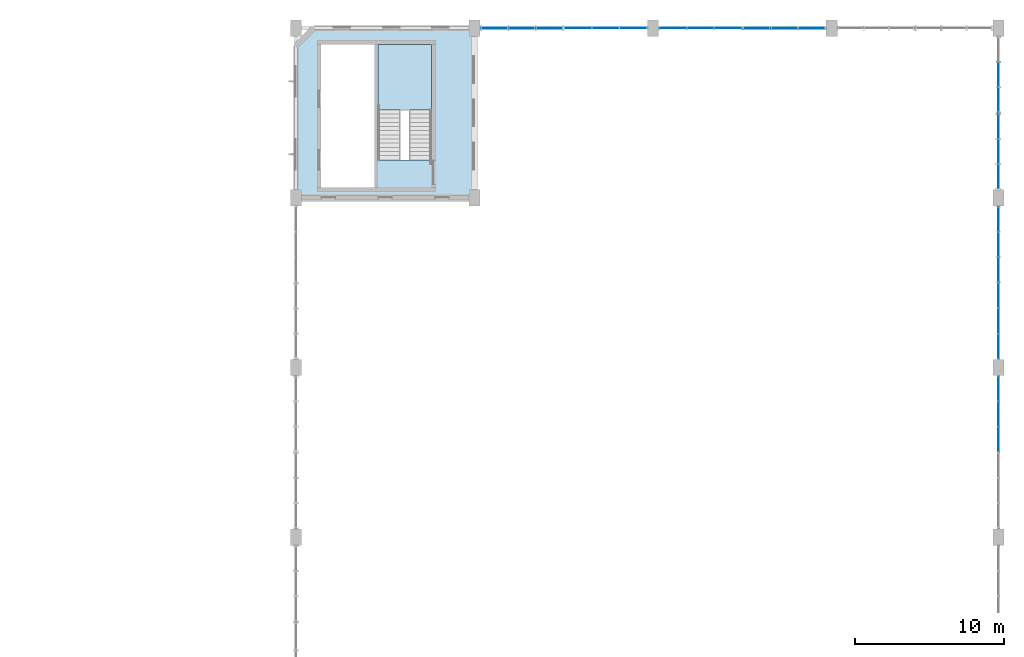
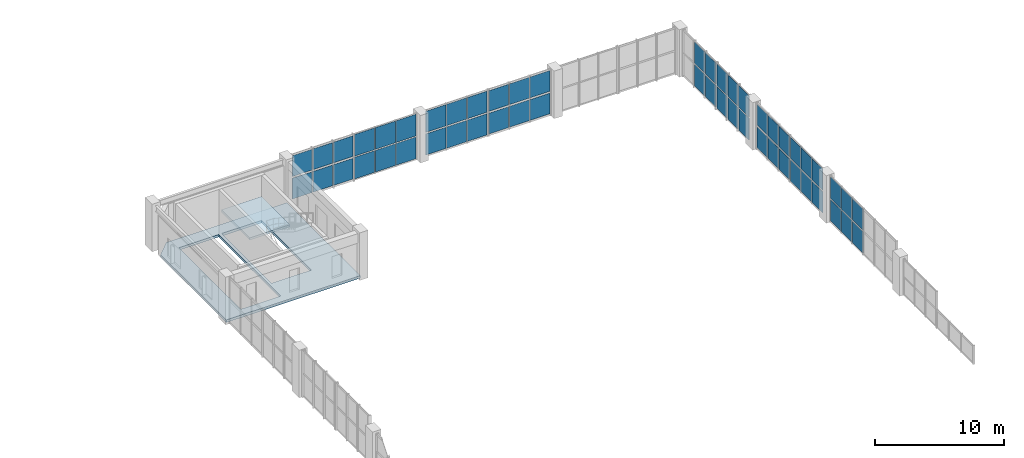
# One storey, part 34 of 48: 52 plates, 2 slabs, 10 elements without a shape of their own.
"""IFC4 building model written with IfcOpenShell, lengths in metres."""

from ifc_helpers import new_model, si_unit, direction, frame, origin, origin_2d, place, context, subcontext, project, spatial, polyline, rectangle, outline, extrude, material, layer, layer_set, type_object, element, aggregate, save


model = new_model("IFC4")

# Units and contexts
model_context = context("Model", 3, precision=1e-05, world=origin(), true_north=direction((0.0, 1.0)))
body_context = subcontext(model_context, "Body", "Model", "MODEL_VIEW")
ifc_project = project(units=[si_unit("LENGTHUNIT", "METRE"), si_unit("AREAUNIT", "SQUARE_METRE"), si_unit("VOLUMEUNIT", "CUBIC_METRE"), si_unit("PLANEANGLEUNIT", "RADIAN"), si_unit("MASSUNIT", "GRAM", prefix="KILO"), si_unit("POWERUNIT", "WATT"), si_unit("THERMODYNAMICTEMPERATUREUNIT", "KELVIN")], contexts=[model_context])

# Site, building, storey
site_placement = place(None, origin())
site = spatial("IfcSite", under=ifc_project, at=site_placement, CompositionType="ELEMENT")
building_placement = place(site_placement, origin())
building = spatial("IfcBuilding", under=site, at=building_placement, Name="Kelmbourne Parkland Aquatics Centre", CompositionType="ELEMENT")
storey_placement = place(building_placement, frame((0.0, 0.0, 14.699951171875)))
storey = spatial("IfcBuildingStorey", under=building, at=storey_placement, Name="L03", CompositionType="ELEMENT", Elevation=14.699951171875)

# Curtain wall, plates
ifc_material_1 = material(Name="Thermally broken anodised aluminium framing", Category="aluminium")
ifc_layer_1 = layer(ifc_material_1, 0.179931640625)
ifc_layer_set_1 = layer_set([ifc_layer_1], Name="Thermally broken anodised aluminium framing")
curtain_wall_type_1 = type_object("IfcCurtainWallType", Name="CW-04", PredefinedType="NOTDEFINED", material=ifc_layer_set_1)
curtain_wall_1_placement = place(storey_placement, origin())
curtain_wall_1 = element("IfcCurtainWall", 1, at=curtain_wall_1_placement, inside=storey, type_object=curtain_wall_type_1, Name="Wave-hall clerestory curtain wall CW-L03-076", PredefinedType="NOTDEFINED")
ifc_material_2 = material(Name="Double-glazed low-e laminated safety glass", Category="glass")
ifc_layer_2 = layer(ifc_material_2, 0.0419921875)
ifc_layer_set_2 = layer_set([ifc_layer_2], Name="Double-glazed low-e laminated safety glass")
plate_type_1 = type_object("IfcPlateType", Name="PL-CLR-1", PredefinedType="USERDEFINED", material=ifc_layer_set_2)
plate_1_placement = place(storey_placement, frame((175.199951171875, 87.18310546875, 2.2939453125), z_axis=(0.0, 0.0, 1.0), x_axis=(0.0, 1.0, 0.0)))
plate_1 = element("IfcPlate", 2, at=plate_1_placement, type_object=plate_type_1, Name="CW-L03-076 clerestory glazing 1-0", ObjectType="CLERESTORY GLAZING", PredefinedType="USERDEFINED", context=body_context, shape_type="SweptSolid", body=[
    extrude(rectangle(XDim=1.6279296875, YDim=0.0419921875, at=origin_2d()), origin(), (0.0, 0.0, 1.0), 2.009033203125),
])
plate_2_placement = place(storey_placement, frame((175.199951171875, 88.8740234375, 2.2939453125), z_axis=(0.0, 0.0, 1.0), x_axis=(0.0, 1.0, 0.0)))
plate_2 = element("IfcPlate", 3, at=plate_2_placement, type_object=plate_type_1, Name="CW-L03-076 clerestory glazing 1-1", ObjectType="CLERESTORY GLAZING", PredefinedType="USERDEFINED", context=body_context, shape_type="SweptSolid", body=[
    extrude(rectangle(XDim=1.6279296875, YDim=0.0419921875, at=origin_2d()), origin(), (0.0, 0.0, 1.0), 2.009033203125),
])
plate_3_placement = place(storey_placement, frame((175.199951171875, 90.56494140625, 2.2939453125), z_axis=(0.0, 0.0, 1.0), x_axis=(0.0, 1.0, 0.0)))
plate_3 = element("IfcPlate", 4, at=plate_3_placement, type_object=plate_type_1, Name="CW-L03-076 clerestory glazing 1-2", ObjectType="CLERESTORY GLAZING", PredefinedType="USERDEFINED", context=body_context, shape_type="SweptSolid", body=[
    extrude(rectangle(XDim=1.6279296875, YDim=0.0419921875, at=origin_2d()), origin(), (0.0, 0.0, 1.0), 2.009033203125),
])

ifc_layer_3 = layer(ifc_material_1, 0.179931640625)
ifc_layer_set_3 = layer_set([ifc_layer_3], Name="Thermally broken anodised aluminium framing")
curtain_wall_type_2 = type_object("IfcCurtainWallType", Name="CW-13", PredefinedType="NOTDEFINED", material=ifc_layer_set_3)
curtain_wall_2_placement = place(storey_placement, origin())
curtain_wall_2 = element("IfcCurtainWall", 5, at=curtain_wall_2_placement, inside=storey, type_object=curtain_wall_type_2, Name="Wave-hall clerestory curtain wall CW-L03-085", PredefinedType="NOTDEFINED")
plate_4_placement = place(storey_placement, frame((175.199951171875, 93.431640625, 2.2939453125), z_axis=(0.0, 0.0, 1.0), x_axis=(0.0, 1.0, 0.0)))
plate_4 = element("IfcPlate", 6, at=plate_4_placement, type_object=plate_type_1, Name="CW-L03-085 clerestory glazing 1-0", ObjectType="CLERESTORY GLAZING", PredefinedType="USERDEFINED", context=body_context, shape_type="SweptSolid", body=[
    extrude(rectangle(XDim=1.641357421875, YDim=0.0419921875, at=origin_2d()), origin(), (0.0, 0.0, 1.0), 2.009033203125),
])
plate_5_placement = place(storey_placement, frame((175.199951171875, 95.1259765625, 2.2939453125), z_axis=(0.0, 0.0, 1.0), x_axis=(0.0, 1.0, 0.0)))
plate_5 = element("IfcPlate", 7, at=plate_5_placement, type_object=plate_type_1, Name="CW-L03-085 clerestory glazing 1-1", ObjectType="CLERESTORY GLAZING", PredefinedType="USERDEFINED", context=body_context, shape_type="SweptSolid", body=[
    extrude(rectangle(XDim=1.641357421875, YDim=0.0419921875, at=origin_2d()), origin(), (0.0, 0.0, 1.0), 2.009033203125),
])
plate_6_placement = place(storey_placement, frame((175.199951171875, 96.8203125, 2.2939453125), z_axis=(0.0, 0.0, 1.0), x_axis=(0.0, 1.0, 0.0)))
plate_6 = element("IfcPlate", 8, at=plate_6_placement, type_object=plate_type_1, Name="CW-L03-085 clerestory glazing 1-2", ObjectType="CLERESTORY GLAZING", PredefinedType="USERDEFINED", context=body_context, shape_type="SweptSolid", body=[
    extrude(rectangle(XDim=1.641357421875, YDim=0.0419921875, at=origin_2d()), origin(), (0.0, 0.0, 1.0), 2.009033203125),
])

ifc_layer_4 = layer(ifc_material_1, 0.179931640625)
ifc_layer_set_4 = layer_set([ifc_layer_4], Name="Thermally broken anodised aluminium framing")
curtain_wall_type_3 = type_object("IfcCurtainWallType", Name="CW-20", PredefinedType="NOTDEFINED", material=ifc_layer_set_4)
curtain_wall_3_placement = place(storey_placement, origin())
curtain_wall_3 = element("IfcCurtainWall", 9, at=curtain_wall_3_placement, inside=storey, type_object=curtain_wall_type_3, Name="Wave-hall clerestory curtain wall CW-L03-092", PredefinedType="NOTDEFINED")
plate_7_placement = place(storey_placement, frame((175.199951171875, 98.586181640625, 2.30908203125), z_axis=(0.0, 0.0, 1.0), x_axis=(0.0, 1.0, 0.0)))
plate_7 = element("IfcPlate", 10, at=plate_7_placement, type_object=plate_type_1, Name="CW-L03-092 clerestory glazing 1-0", ObjectType="CLERESTORY GLAZING", PredefinedType="USERDEFINED", context=body_context, shape_type="SweptSolid", body=[
    extrude(rectangle(XDim=1.61474609375, YDim=0.0419921875, at=origin_2d()), origin(), (0.0, 0.0, 1.0), 1.964111328125),
])
plate_8_placement = place(storey_placement, frame((175.199951171875, 100.27392578125, 2.30908203125), z_axis=(0.0, 0.0, 1.0), x_axis=(0.0, 1.0, 0.0)))
plate_8 = element("IfcPlate", 11, at=plate_8_placement, type_object=plate_type_1, Name="CW-L03-092 clerestory glazing 1-1", ObjectType="CLERESTORY GLAZING", PredefinedType="USERDEFINED", context=body_context, shape_type="SweptSolid", body=[
    extrude(rectangle(XDim=1.614501953125, YDim=0.0419921875, at=origin_2d()), origin(), (0.0, 0.0, 1.0), 1.964111328125),
])
plate_9_placement = place(storey_placement, frame((175.199951171875, 101.961669921875, 2.30908203125), z_axis=(0.0, 0.0, 1.0), x_axis=(0.0, 1.0, 0.0)))
plate_9 = element("IfcPlate", 12, at=plate_9_placement, type_object=plate_type_1, Name="CW-L03-092 clerestory glazing 1-2", ObjectType="CLERESTORY GLAZING", PredefinedType="USERDEFINED", context=body_context, shape_type="SweptSolid", body=[
    extrude(rectangle(XDim=1.61474609375, YDim=0.0419921875, at=origin_2d()), origin(), (0.0, 0.0, 1.0), 1.964111328125),
])

ifc_layer_5 = layer(ifc_material_1, 0.179931640625)
ifc_layer_set_5 = layer_set([ifc_layer_5], Name="Thermally broken anodised aluminium framing")
curtain_wall_type_4 = type_object("IfcCurtainWallType", Name="CW-03", PredefinedType="NOTDEFINED", material=ifc_layer_set_5)
curtain_wall_4_placement = place(storey_placement, origin())
curtain_wall_4 = element("IfcCurtainWall", 13, at=curtain_wall_4_placement, inside=storey, type_object=curtain_wall_type_4, Name="Wave-hall clerestory curtain wall CW-L03-099", PredefinedType="NOTDEFINED")
plate_10_placement = place(storey_placement, frame((175.199951171875, 104.844970703125, 2.279296875), z_axis=(0.0, 0.0, 1.0), x_axis=(0.0, 1.0, 0.0)))
plate_10 = element("IfcPlate", 14, at=plate_10_placement, type_object=plate_type_1, Name="CW-L03-099 clerestory glazing 1-0", ObjectType="CLERESTORY GLAZING", PredefinedType="USERDEFINED", context=body_context, shape_type="SweptSolid", body=[
    extrude(rectangle(XDim=1.587890625, YDim=0.0419921875, at=origin_2d()), origin(), (0.0, 0.0, 1.0), 2.053955078125),
])
plate_11_placement = place(storey_placement, frame((175.199951171875, 106.52587890625, 2.279296875), z_axis=(0.0, 0.0, 1.0), x_axis=(0.0, 1.0, 0.0)))
plate_11 = element("IfcPlate", 15, at=plate_11_placement, type_object=plate_type_1, Name="CW-L03-099 clerestory glazing 1-1", ObjectType="CLERESTORY GLAZING", PredefinedType="USERDEFINED", context=body_context, shape_type="SweptSolid", body=[
    extrude(rectangle(XDim=1.587890625, YDim=0.0419921875, at=origin_2d()), origin(), (0.0, 0.0, 1.0), 2.053955078125),
])
plate_12_placement = place(storey_placement, frame((175.199951171875, 108.20703125, 2.279296875), z_axis=(0.0, 0.0, 1.0), x_axis=(0.0, 1.0, 0.0)))
plate_12 = element("IfcPlate", 16, at=plate_12_placement, type_object=plate_type_1, Name="CW-L03-099 clerestory glazing 1-2", ObjectType="CLERESTORY GLAZING", PredefinedType="USERDEFINED", context=body_context, shape_type="SweptSolid", body=[
    extrude(rectangle(XDim=1.587890625, YDim=0.0419921875, at=origin_2d()), origin(), (0.0, 0.0, 1.0), 2.053955078125),
])

ifc_layer_6 = layer(ifc_material_1, 0.179931640625)
ifc_layer_set_6 = layer_set([ifc_layer_6], Name="Thermally broken anodised aluminium framing")
curtain_wall_type_5 = type_object("IfcCurtainWallType", Name="CW-07", PredefinedType="NOTDEFINED", material=ifc_layer_set_6)
curtain_wall_5_placement = place(storey_placement, origin())
curtain_wall_5 = element("IfcCurtainWall", 17, at=curtain_wall_5_placement, inside=storey, type_object=curtain_wall_type_5, Name="Wave-hall clerestory curtain wall CW-L03-103", PredefinedType="NOTDEFINED")
plate_13_placement = place(storey_placement, frame((175.199951171875, 109.989501953125, 2.2939453125), z_axis=(0.0, 0.0, 1.0), x_axis=(0.0, 1.0, 0.0)))
plate_13 = element("IfcPlate", 18, at=plate_13_placement, type_object=plate_type_1, Name="CW-L03-103 clerestory glazing 1-0", ObjectType="CLERESTORY GLAZING", PredefinedType="USERDEFINED", context=body_context, shape_type="SweptSolid", body=[
    extrude(rectangle(XDim=1.601318359375, YDim=0.0419921875, at=origin_2d()), origin(), (0.0, 0.0, 1.0), 2.009033203125),
])
plate_14_placement = place(storey_placement, frame((175.199951171875, 111.674072265625, 2.2939453125), z_axis=(0.0, 0.0, 1.0), x_axis=(0.0, 1.0, 0.0)))
plate_14 = element("IfcPlate", 19, at=plate_14_placement, type_object=plate_type_1, Name="CW-L03-103 clerestory glazing 1-1", ObjectType="CLERESTORY GLAZING", PredefinedType="USERDEFINED", context=body_context, shape_type="SweptSolid", body=[
    extrude(rectangle(XDim=1.601318359375, YDim=0.0419921875, at=origin_2d()), origin(), (0.0, 0.0, 1.0), 2.009033203125),
])

ifc_layer_7 = layer(ifc_material_1, 0.179931640625)
ifc_layer_set_7 = layer_set([ifc_layer_7], Name="Thermally broken anodised aluminium framing")
curtain_wall_type_6 = type_object("IfcCurtainWallType", Name="CW-05", PredefinedType="NOTDEFINED", material=ifc_layer_set_7)
curtain_wall_6_placement = place(storey_placement, origin())
curtain_wall_6 = element("IfcCurtainWall", 20, at=curtain_wall_6_placement, inside=storey, type_object=curtain_wall_type_6, Name="Wave-hall clerestory curtain wall CW-L03-149", PredefinedType="NOTDEFINED")
plate_15_placement = place(storey_placement, frame((141.34912109375, 114.800048828125, 2.30908203125), z_axis=(0.0, 0.0, 1.0), x_axis=(1.0, 0.0, 0.0)))
plate_15 = element("IfcPlate", 21, at=plate_15_placement, type_object=plate_type_1, Name="CW-L03-149 clerestory glazing 1-0", ObjectType="CLERESTORY GLAZING", PredefinedType="USERDEFINED", context=body_context, shape_type="SweptSolid", body=[
    extrude(rectangle(XDim=1.746337890625, YDim=0.0419921875, at=origin_2d()), origin(), (0.0, 0.0, 1.0), 1.964111328125),
])
plate_16_placement = place(storey_placement, frame((143.1884765625, 114.800048828125, 2.30908203125), z_axis=(0.0, 0.0, 1.0), x_axis=(1.0, 0.0, 0.0)))
plate_16 = element("IfcPlate", 22, at=plate_16_placement, type_object=plate_type_1, Name="CW-L03-149 clerestory glazing 1-1", ObjectType="CLERESTORY GLAZING", PredefinedType="USERDEFINED", context=body_context, shape_type="SweptSolid", body=[
    extrude(rectangle(XDim=1.746337890625, YDim=0.0419921875, at=origin_2d()), origin(), (0.0, 0.0, 1.0), 1.964111328125),
])
plate_17_placement = place(storey_placement, frame((145.02783203125, 114.800048828125, 2.30908203125), z_axis=(0.0, 0.0, 1.0), x_axis=(1.0, 0.0, 0.0)))
plate_17 = element("IfcPlate", 23, at=plate_17_placement, type_object=plate_type_1, Name="CW-L03-149 clerestory glazing 1-2", ObjectType="CLERESTORY GLAZING", PredefinedType="USERDEFINED", context=body_context, shape_type="SweptSolid", body=[
    extrude(rectangle(XDim=1.746337890625, YDim=0.0419921875, at=origin_2d()), origin(), (0.0, 0.0, 1.0), 1.964111328125),
])

ifc_layer_8 = layer(ifc_material_1, 0.179931640625)
ifc_layer_set_8 = layer_set([ifc_layer_8], Name="Thermally broken anodised aluminium framing")
curtain_wall_type_7 = type_object("IfcCurtainWallType", Name="CW-06", PredefinedType="NOTDEFINED", material=ifc_layer_set_8)
curtain_wall_7_placement = place(storey_placement, origin())
curtain_wall_7 = element("IfcCurtainWall", 24, at=curtain_wall_7_placement, inside=storey, type_object=curtain_wall_type_7, Name="Wave-hall clerestory curtain wall CW-L03-150", PredefinedType="NOTDEFINED")
plate_18_placement = place(storey_placement, frame((146.958984375, 114.800048828125, 2.279296875), z_axis=(0.0, 0.0, 1.0), x_axis=(1.0, 0.0, 0.0)))
plate_18 = element("IfcPlate", 25, at=plate_18_placement, type_object=plate_type_1, Name="CW-L03-150 clerestory glazing 1-0", ObjectType="CLERESTORY GLAZING", PredefinedType="USERDEFINED", context=body_context, shape_type="SweptSolid", body=[
    extrude(rectangle(XDim=1.7998046875, YDim=0.0419921875, at=origin_2d()), origin(), (0.0, 0.0, 1.0), 2.053955078125),
])
plate_19_placement = place(storey_placement, frame((148.8115234375, 114.800048828125, 2.279296875), z_axis=(0.0, 0.0, 1.0), x_axis=(1.0, 0.0, 0.0)))
plate_19 = element("IfcPlate", 26, at=plate_19_placement, type_object=plate_type_1, Name="CW-L03-150 clerestory glazing 1-1", ObjectType="CLERESTORY GLAZING", PredefinedType="USERDEFINED", context=body_context, shape_type="SweptSolid", body=[
    extrude(rectangle(XDim=1.799560546875, YDim=0.0419921875, at=origin_2d()), origin(), (0.0, 0.0, 1.0), 2.053955078125),
])
plate_20_placement = place(storey_placement, frame((150.664306640625, 114.800048828125, 2.279296875), z_axis=(0.0, 0.0, 1.0), x_axis=(1.0, 0.0, 0.0)))
plate_20 = element("IfcPlate", 27, at=plate_20_placement, type_object=plate_type_1, Name="CW-L03-150 clerestory glazing 1-2", ObjectType="CLERESTORY GLAZING", PredefinedType="USERDEFINED", context=body_context, shape_type="SweptSolid", body=[
    extrude(rectangle(XDim=1.7998046875, YDim=0.0419921875, at=origin_2d()), origin(), (0.0, 0.0, 1.0), 2.053955078125),
])

curtain_wall_8_placement = place(storey_placement, origin())
curtain_wall_8 = element("IfcCurtainWall", 28, at=curtain_wall_8_placement, inside=storey, type_object=curtain_wall_type_5, Name="Wave-hall clerestory curtain wall CW-L03-151", PredefinedType="NOTDEFINED")
plate_21_placement = place(storey_placement, frame((153.339111328125, 114.800048828125, 2.2939453125), z_axis=(0.0, 0.0, 1.0), x_axis=(1.0, 0.0, 0.0)))
plate_21 = element("IfcPlate", 29, at=plate_21_placement, type_object=plate_type_1, Name="CW-L03-151 clerestory glazing 1-0", ObjectType="CLERESTORY GLAZING", PredefinedType="USERDEFINED", context=body_context, shape_type="SweptSolid", body=[
    extrude(rectangle(XDim=1.786376953125, YDim=0.0419921875, at=origin_2d()), origin(), (0.0, 0.0, 1.0), 2.009033203125),
])
plate_22_placement = place(storey_placement, frame((155.1884765625, 114.800048828125, 2.2939453125), z_axis=(0.0, 0.0, 1.0), x_axis=(1.0, 0.0, 0.0)))
plate_22 = element("IfcPlate", 30, at=plate_22_placement, type_object=plate_type_1, Name="CW-L03-151 clerestory glazing 1-1", ObjectType="CLERESTORY GLAZING", PredefinedType="USERDEFINED", context=body_context, shape_type="SweptSolid", body=[
    extrude(rectangle(XDim=1.786376953125, YDim=0.0419921875, at=origin_2d()), origin(), (0.0, 0.0, 1.0), 2.009033203125),
])
plate_23_placement = place(storey_placement, frame((157.037841796875, 114.800048828125, 2.2939453125), z_axis=(0.0, 0.0, 1.0), x_axis=(1.0, 0.0, 0.0)))
plate_23 = element("IfcPlate", 31, at=plate_23_placement, type_object=plate_type_1, Name="CW-L03-151 clerestory glazing 1-2", ObjectType="CLERESTORY GLAZING", PredefinedType="USERDEFINED", context=body_context, shape_type="SweptSolid", body=[
    extrude(rectangle(XDim=1.786376953125, YDim=0.0419921875, at=origin_2d()), origin(), (0.0, 0.0, 1.0), 2.009033203125),
])

ifc_layer_9 = layer(ifc_material_1, 0.179931640625)
ifc_layer_set_9 = layer_set([ifc_layer_9], Name="Thermally broken anodised aluminium framing")
curtain_wall_type_8 = type_object("IfcCurtainWallType", Name="CW-08", PredefinedType="NOTDEFINED", material=ifc_layer_set_9)
curtain_wall_9_placement = place(storey_placement, origin())
curtain_wall_9 = element("IfcCurtainWall", 32, at=curtain_wall_9_placement, inside=storey, type_object=curtain_wall_type_8, Name="Wave-hall clerestory curtain wall CW-L03-152", PredefinedType="NOTDEFINED")
plate_24_placement = place(storey_placement, frame((158.965576171875, 114.800048828125, 2.30908203125), z_axis=(0.0, 0.0, 1.0), x_axis=(1.0, 0.0, 0.0)))
plate_24 = element("IfcPlate", 33, at=plate_24_placement, type_object=plate_type_1, Name="CW-L03-152 clerestory glazing 1-0", ObjectType="CLERESTORY GLAZING", PredefinedType="USERDEFINED", context=body_context, shape_type="SweptSolid", body=[
    extrude(rectangle(XDim=1.77294921875, YDim=0.0419921875, at=origin_2d()), origin(), (0.0, 0.0, 1.0), 1.964111328125),
])
plate_25_placement = place(storey_placement, frame((160.8115234375, 114.800048828125, 2.30908203125), z_axis=(0.0, 0.0, 1.0), x_axis=(1.0, 0.0, 0.0)))
plate_25 = element("IfcPlate", 34, at=plate_25_placement, type_object=plate_type_1, Name="CW-L03-152 clerestory glazing 1-1", ObjectType="CLERESTORY GLAZING", PredefinedType="USERDEFINED", context=body_context, shape_type="SweptSolid", body=[
    extrude(rectangle(XDim=1.77294921875, YDim=0.0419921875, at=origin_2d()), origin(), (0.0, 0.0, 1.0), 1.964111328125),
])
plate_26_placement = place(storey_placement, frame((162.657470703125, 114.800048828125, 2.30908203125), z_axis=(0.0, 0.0, 1.0), x_axis=(1.0, 0.0, 0.0)))
plate_26 = element("IfcPlate", 35, at=plate_26_placement, type_object=plate_type_1, Name="CW-L03-152 clerestory glazing 1-2", ObjectType="CLERESTORY GLAZING", PredefinedType="USERDEFINED", context=body_context, shape_type="SweptSolid", body=[
    extrude(rectangle(XDim=1.77294921875, YDim=0.0419921875, at=origin_2d()), origin(), (0.0, 0.0, 1.0), 1.964111328125),
])

# Plate
ifc_layer_10 = layer(ifc_material_2, 0.02392578125)
ifc_layer_set_10 = layer_set([ifc_layer_10], Name="Double-glazed low-e laminated safety glass")
plate_type_2 = type_object("IfcPlateType", Name="PL-CWP-1", PredefinedType="CURTAIN_PANEL", material=ifc_layer_set_10)
plate_27_placement = place(storey_placement, frame((175.199951171875, 104.844970703125, 0.1171875), z_axis=(0.0, 0.0, 1.0), x_axis=(0.0, 1.0, 0.0)))
plate_27 = element("IfcPlate", 36, at=plate_27_placement, type_object=plate_type_2, Name="CW-L03-099 vision glazing 0-0", PredefinedType="CURTAIN_PANEL", context=body_context, shape_type="SweptSolid", body=[
    extrude(rectangle(XDim=1.587890625, YDim=0.02392578125, at=origin_2d()), origin(), (0.0, 0.0, 1.0), 2.053955078125),
])

plate_28_placement = place(storey_placement, frame((175.199951171875, 106.52587890625, 0.1171875), z_axis=(0.0, 0.0, 1.0), x_axis=(0.0, 1.0, 0.0)))
plate_28 = element("IfcPlate", 37, at=plate_28_placement, type_object=plate_type_2, Name="CW-L03-099 vision glazing 0-1", PredefinedType="CURTAIN_PANEL", context=body_context, shape_type="SweptSolid", body=[
    extrude(rectangle(XDim=1.587890625, YDim=0.02392578125, at=origin_2d()), origin(), (0.0, 0.0, 1.0), 2.053955078125),
])

plate_29_placement = place(storey_placement, frame((175.199951171875, 108.20703125, 0.1171875), z_axis=(0.0, 0.0, 1.0), x_axis=(0.0, 1.0, 0.0)))
plate_29 = element("IfcPlate", 38, at=plate_29_placement, type_object=plate_type_2, Name="CW-L03-099 vision glazing 0-2", PredefinedType="CURTAIN_PANEL", context=body_context, shape_type="SweptSolid", body=[
    extrude(rectangle(XDim=1.587890625, YDim=0.02392578125, at=origin_2d()), origin(), (0.0, 0.0, 1.0), 2.053955078125),
])

aggregate(curtain_wall_4, [plate_27, plate_28, plate_29, plate_10, plate_11, plate_12])

plate_30_placement = place(storey_placement, frame((146.958984375, 114.800048828125, 0.1171875), z_axis=(0.0, 0.0, 1.0), x_axis=(1.0, 0.0, 0.0)))
plate_30 = element("IfcPlate", 39, at=plate_30_placement, type_object=plate_type_2, Name="CW-L03-150 vision glazing 0-0", PredefinedType="CURTAIN_PANEL", context=body_context, shape_type="SweptSolid", body=[
    extrude(rectangle(XDim=1.7998046875, YDim=0.02392578125, at=origin_2d()), origin(), (0.0, 0.0, 1.0), 2.053955078125),
])

plate_31_placement = place(storey_placement, frame((148.8115234375, 114.800048828125, 0.1171875), z_axis=(0.0, 0.0, 1.0), x_axis=(1.0, 0.0, 0.0)))
plate_31 = element("IfcPlate", 40, at=plate_31_placement, type_object=plate_type_2, Name="CW-L03-150 vision glazing 0-1", PredefinedType="CURTAIN_PANEL", context=body_context, shape_type="SweptSolid", body=[
    extrude(rectangle(XDim=1.799560546875, YDim=0.02392578125, at=origin_2d()), origin(), (0.0, 0.0, 1.0), 2.053955078125),
])

plate_32_placement = place(storey_placement, frame((150.664306640625, 114.800048828125, 0.1171875), z_axis=(0.0, 0.0, 1.0), x_axis=(1.0, 0.0, 0.0)))
plate_32 = element("IfcPlate", 41, at=plate_32_placement, type_object=plate_type_2, Name="CW-L03-150 vision glazing 0-2", PredefinedType="CURTAIN_PANEL", context=body_context, shape_type="SweptSolid", body=[
    extrude(rectangle(XDim=1.7998046875, YDim=0.02392578125, at=origin_2d()), origin(), (0.0, 0.0, 1.0), 2.053955078125),
])

aggregate(curtain_wall_7, [plate_30, plate_31, plate_32, plate_18, plate_19, plate_20])

ifc_layer_11 = layer(ifc_material_2, 0.035888671875)
ifc_layer_set_11 = layer_set([ifc_layer_11], Name="Double-glazed low-e laminated safety glass")
plate_type_3 = type_object("IfcPlateType", Name="PL-CWP-2", PredefinedType="CURTAIN_PANEL", material=ifc_layer_set_11)
plate_33_placement = place(storey_placement, frame((175.199951171875, 87.18310546875, 0.14697265625), z_axis=(0.0, 0.0, 1.0), x_axis=(0.0, 1.0, 0.0)))
plate_33 = element("IfcPlate", 42, at=plate_33_placement, type_object=plate_type_3, Name="CW-L03-076 vision glazing 0-0", PredefinedType="CURTAIN_PANEL", context=body_context, shape_type="SweptSolid", body=[
    extrude(rectangle(XDim=1.6279296875, YDim=0.035888671875, at=origin_2d()), origin(), (0.0, 0.0, 1.0), 2.009033203125),
])

plate_34_placement = place(storey_placement, frame((175.199951171875, 88.8740234375, 0.14697265625), z_axis=(0.0, 0.0, 1.0), x_axis=(0.0, 1.0, 0.0)))
plate_34 = element("IfcPlate", 43, at=plate_34_placement, type_object=plate_type_3, Name="CW-L03-076 vision glazing 0-1", PredefinedType="CURTAIN_PANEL", context=body_context, shape_type="SweptSolid", body=[
    extrude(rectangle(XDim=1.6279296875, YDim=0.035888671875, at=origin_2d()), origin(), (0.0, 0.0, 1.0), 2.009033203125),
])

plate_35_placement = place(storey_placement, frame((175.199951171875, 90.56494140625, 0.14697265625), z_axis=(0.0, 0.0, 1.0), x_axis=(0.0, 1.0, 0.0)))
plate_35 = element("IfcPlate", 44, at=plate_35_placement, type_object=plate_type_3, Name="CW-L03-076 vision glazing 0-2", PredefinedType="CURTAIN_PANEL", context=body_context, shape_type="SweptSolid", body=[
    extrude(rectangle(XDim=1.6279296875, YDim=0.035888671875, at=origin_2d()), origin(), (0.0, 0.0, 1.0), 2.009033203125),
])

aggregate(curtain_wall_1, [plate_33, plate_34, plate_35, plate_1, plate_2, plate_3])

plate_36_placement = place(storey_placement, frame((175.199951171875, 93.431640625, 0.14697265625), z_axis=(0.0, 0.0, 1.0), x_axis=(0.0, 1.0, 0.0)))
plate_36 = element("IfcPlate", 45, at=plate_36_placement, type_object=plate_type_3, Name="CW-L03-085 vision glazing 0-0", PredefinedType="CURTAIN_PANEL", context=body_context, shape_type="SweptSolid", body=[
    extrude(rectangle(XDim=1.641357421875, YDim=0.035888671875, at=origin_2d()), origin(), (0.0, 0.0, 1.0), 2.009033203125),
])

plate_37_placement = place(storey_placement, frame((175.199951171875, 95.1259765625, 0.14697265625), z_axis=(0.0, 0.0, 1.0), x_axis=(0.0, 1.0, 0.0)))
plate_37 = element("IfcPlate", 46, at=plate_37_placement, type_object=plate_type_3, Name="CW-L03-085 vision glazing 0-1", PredefinedType="CURTAIN_PANEL", context=body_context, shape_type="SweptSolid", body=[
    extrude(rectangle(XDim=1.641357421875, YDim=0.035888671875, at=origin_2d()), origin(), (0.0, 0.0, 1.0), 2.009033203125),
])

plate_38_placement = place(storey_placement, frame((175.199951171875, 96.8203125, 0.14697265625), z_axis=(0.0, 0.0, 1.0), x_axis=(0.0, 1.0, 0.0)))
plate_38 = element("IfcPlate", 47, at=plate_38_placement, type_object=plate_type_3, Name="CW-L03-085 vision glazing 0-2", PredefinedType="CURTAIN_PANEL", context=body_context, shape_type="SweptSolid", body=[
    extrude(rectangle(XDim=1.641357421875, YDim=0.035888671875, at=origin_2d()), origin(), (0.0, 0.0, 1.0), 2.009033203125),
])

aggregate(curtain_wall_2, [plate_36, plate_37, plate_38, plate_4, plate_5, plate_6])

plate_39_placement = place(storey_placement, frame((175.199951171875, 109.989501953125, 0.14697265625), z_axis=(0.0, 0.0, 1.0), x_axis=(0.0, 1.0, 0.0)))
plate_39 = element("IfcPlate", 48, at=plate_39_placement, type_object=plate_type_3, Name="CW-L03-103 vision glazing 0-0", PredefinedType="CURTAIN_PANEL", context=body_context, shape_type="SweptSolid", body=[
    extrude(rectangle(XDim=1.601318359375, YDim=0.035888671875, at=origin_2d()), origin(), (0.0, 0.0, 1.0), 2.009033203125),
])

plate_40_placement = place(storey_placement, frame((175.199951171875, 111.674072265625, 0.14697265625), z_axis=(0.0, 0.0, 1.0), x_axis=(0.0, 1.0, 0.0)))
plate_40 = element("IfcPlate", 49, at=plate_40_placement, type_object=plate_type_3, Name="CW-L03-103 vision glazing 0-1", PredefinedType="CURTAIN_PANEL", context=body_context, shape_type="SweptSolid", body=[
    extrude(rectangle(XDim=1.601318359375, YDim=0.035888671875, at=origin_2d()), origin(), (0.0, 0.0, 1.0), 2.009033203125),
])

aggregate(curtain_wall_5, [plate_39, plate_40, plate_13, plate_14])

plate_41_placement = place(storey_placement, frame((153.339111328125, 114.800048828125, 0.14697265625), z_axis=(0.0, 0.0, 1.0), x_axis=(1.0, 0.0, 0.0)))
plate_41 = element("IfcPlate", 50, at=plate_41_placement, type_object=plate_type_3, Name="CW-L03-151 vision glazing 0-0", PredefinedType="CURTAIN_PANEL", context=body_context, shape_type="SweptSolid", body=[
    extrude(rectangle(XDim=1.786376953125, YDim=0.035888671875, at=origin_2d()), origin(), (0.0, 0.0, 1.0), 2.009033203125),
])

plate_42_placement = place(storey_placement, frame((155.1884765625, 114.800048828125, 0.14697265625), z_axis=(0.0, 0.0, 1.0), x_axis=(1.0, 0.0, 0.0)))
plate_42 = element("IfcPlate", 51, at=plate_42_placement, type_object=plate_type_3, Name="CW-L03-151 vision glazing 0-1", PredefinedType="CURTAIN_PANEL", context=body_context, shape_type="SweptSolid", body=[
    extrude(rectangle(XDim=1.786376953125, YDim=0.035888671875, at=origin_2d()), origin(), (0.0, 0.0, 1.0), 2.009033203125),
])

plate_43_placement = place(storey_placement, frame((157.037841796875, 114.800048828125, 0.14697265625), z_axis=(0.0, 0.0, 1.0), x_axis=(1.0, 0.0, 0.0)))
plate_43 = element("IfcPlate", 52, at=plate_43_placement, type_object=plate_type_3, Name="CW-L03-151 vision glazing 0-2", PredefinedType="CURTAIN_PANEL", context=body_context, shape_type="SweptSolid", body=[
    extrude(rectangle(XDim=1.786376953125, YDim=0.035888671875, at=origin_2d()), origin(), (0.0, 0.0, 1.0), 2.009033203125),
])

aggregate(curtain_wall_8, [plate_41, plate_42, plate_43, plate_21, plate_22, plate_23])

ifc_layer_12 = layer(ifc_material_2, 0.048095703125)
ifc_layer_set_12 = layer_set([ifc_layer_12], Name="Double-glazed low-e laminated safety glass")
plate_type_4 = type_object("IfcPlateType", Name="PL-CWP-3", PredefinedType="CURTAIN_PANEL", material=ifc_layer_set_12)
plate_44_placement = place(storey_placement, frame((175.199951171875, 98.586181640625, 0.1767578125), z_axis=(0.0, 0.0, 1.0), x_axis=(0.0, 1.0, 0.0)))
plate_44 = element("IfcPlate", 53, at=plate_44_placement, type_object=plate_type_4, Name="CW-L03-092 vision glazing 0-0", PredefinedType="CURTAIN_PANEL", context=body_context, shape_type="SweptSolid", body=[
    extrude(rectangle(XDim=1.61474609375, YDim=0.048095703125, at=origin_2d()), origin(), (0.0, 0.0, 1.0), 1.964111328125),
])

plate_45_placement = place(storey_placement, frame((175.199951171875, 100.27392578125, 0.1767578125), z_axis=(0.0, 0.0, 1.0), x_axis=(0.0, 1.0, 0.0)))
plate_45 = element("IfcPlate", 54, at=plate_45_placement, type_object=plate_type_4, Name="CW-L03-092 vision glazing 0-1", PredefinedType="CURTAIN_PANEL", context=body_context, shape_type="SweptSolid", body=[
    extrude(rectangle(XDim=1.614501953125, YDim=0.048095703125, at=origin_2d()), origin(), (0.0, 0.0, 1.0), 1.964111328125),
])

plate_46_placement = place(storey_placement, frame((175.199951171875, 101.961669921875, 0.1767578125), z_axis=(0.0, 0.0, 1.0), x_axis=(0.0, 1.0, 0.0)))
plate_46 = element("IfcPlate", 55, at=plate_46_placement, type_object=plate_type_4, Name="CW-L03-092 vision glazing 0-2", PredefinedType="CURTAIN_PANEL", context=body_context, shape_type="SweptSolid", body=[
    extrude(rectangle(XDim=1.61474609375, YDim=0.048095703125, at=origin_2d()), origin(), (0.0, 0.0, 1.0), 1.964111328125),
])

aggregate(curtain_wall_3, [plate_44, plate_45, plate_46, plate_7, plate_8, plate_9])

plate_47_placement = place(storey_placement, frame((141.34912109375, 114.800048828125, 0.1767578125), z_axis=(0.0, 0.0, 1.0), x_axis=(1.0, 0.0, 0.0)))
plate_47 = element("IfcPlate", 56, at=plate_47_placement, type_object=plate_type_4, Name="CW-L03-149 vision glazing 0-0", PredefinedType="CURTAIN_PANEL", context=body_context, shape_type="SweptSolid", body=[
    extrude(rectangle(XDim=1.746337890625, YDim=0.048095703125, at=origin_2d()), origin(), (0.0, 0.0, 1.0), 1.964111328125),
])

plate_48_placement = place(storey_placement, frame((143.1884765625, 114.800048828125, 0.1767578125), z_axis=(0.0, 0.0, 1.0), x_axis=(1.0, 0.0, 0.0)))
plate_48 = element("IfcPlate", 57, at=plate_48_placement, type_object=plate_type_4, Name="CW-L03-149 vision glazing 0-1", PredefinedType="CURTAIN_PANEL", context=body_context, shape_type="SweptSolid", body=[
    extrude(rectangle(XDim=1.746337890625, YDim=0.048095703125, at=origin_2d()), origin(), (0.0, 0.0, 1.0), 1.964111328125),
])

plate_49_placement = place(storey_placement, frame((145.02783203125, 114.800048828125, 0.1767578125), z_axis=(0.0, 0.0, 1.0), x_axis=(1.0, 0.0, 0.0)))
plate_49 = element("IfcPlate", 58, at=plate_49_placement, type_object=plate_type_4, Name="CW-L03-149 vision glazing 0-2", PredefinedType="CURTAIN_PANEL", context=body_context, shape_type="SweptSolid", body=[
    extrude(rectangle(XDim=1.746337890625, YDim=0.048095703125, at=origin_2d()), origin(), (0.0, 0.0, 1.0), 1.964111328125),
])

aggregate(curtain_wall_6, [plate_47, plate_48, plate_49, plate_15, plate_16, plate_17])

plate_50_placement = place(storey_placement, frame((158.965576171875, 114.800048828125, 0.1767578125), z_axis=(0.0, 0.0, 1.0), x_axis=(1.0, 0.0, 0.0)))
plate_50 = element("IfcPlate", 59, at=plate_50_placement, type_object=plate_type_4, Name="CW-L03-152 vision glazing 0-0", PredefinedType="CURTAIN_PANEL", context=body_context, shape_type="SweptSolid", body=[
    extrude(rectangle(XDim=1.77294921875, YDim=0.048095703125, at=origin_2d()), origin(), (0.0, 0.0, 1.0), 1.964111328125),
])

plate_51_placement = place(storey_placement, frame((160.8115234375, 114.800048828125, 0.1767578125), z_axis=(0.0, 0.0, 1.0), x_axis=(1.0, 0.0, 0.0)))
plate_51 = element("IfcPlate", 60, at=plate_51_placement, type_object=plate_type_4, Name="CW-L03-152 vision glazing 0-1", PredefinedType="CURTAIN_PANEL", context=body_context, shape_type="SweptSolid", body=[
    extrude(rectangle(XDim=1.77294921875, YDim=0.048095703125, at=origin_2d()), origin(), (0.0, 0.0, 1.0), 1.964111328125),
])

plate_52_placement = place(storey_placement, frame((162.657470703125, 114.800048828125, 0.1767578125), z_axis=(0.0, 0.0, 1.0), x_axis=(1.0, 0.0, 0.0)))
plate_52 = element("IfcPlate", 61, at=plate_52_placement, type_object=plate_type_4, Name="CW-L03-152 vision glazing 0-2", PredefinedType="CURTAIN_PANEL", context=body_context, shape_type="SweptSolid", body=[
    extrude(rectangle(XDim=1.77294921875, YDim=0.048095703125, at=origin_2d()), origin(), (0.0, 0.0, 1.0), 1.964111328125),
])

aggregate(curtain_wall_9, [plate_50, plate_51, plate_52, plate_24, plate_25, plate_26])

# Slab
ifc_material_3 = material(Name="Concrete C40/50", Category="concrete")
ifc_layer_13 = layer(ifc_material_3, 0.239990234375)
ifc_layer_set_13 = layer_set([ifc_layer_13], Name="Concrete C40/50")
slab_type_1 = type_object("IfcSlabType", Name="SL-F2", PredefinedType="FLOOR", material=ifc_layer_set_13)
slab_1_placement = place(storey_placement, frame((0.0, 0.0, -0.239990234375)))
element("IfcSlab", 62, at=slab_1_placement, inside=storey, type_object=slab_type_1, Name="Suspended floor slab SLAB-L03-V2", PredefinedType="FLOOR", context=body_context, shape_type="SweptSolid", body=[
    extrude(outline(polyline([(128.0, 103.39990234375), (140.0, 103.39990234375), (140.0, 114.800048828125), (129.199951171875, 114.800048828125), (128.0, 113.60009765625), (128.0, 103.39990234375)]), holes=[polyline([(129.699951171875, 104.10009765625), (129.699951171875, 113.699951171875), (133.27490234375, 113.699951171875), (133.27490234375, 104.10009765625), (129.699951171875, 104.10009765625)]), polyline([(133.52490234375, 105.949951171875), (133.52490234375, 113.699951171875), (137.10009765625, 113.699951171875), (137.10009765625, 105.949951171875), (133.52490234375, 105.949951171875)])]), origin(), (0.0, 0.0, 1.0), 0.239990234375),
])

# Stair, slab
stair_type = type_object("IfcStairType", Name="ST-T19", PredefinedType="HALF_TURN_STAIR", material=ifc_material_3)
stair_placement = place(storey_placement, origin())
stair = element("IfcStair", 63, at=stair_placement, inside=storey, type_object=stair_type, Name="North Diving Control Fire-Fighting Core Stair ST05 (L03)", PredefinedType="HALF_TURN_STAIR")
ifc_layer_14 = layer(ifc_material_3, 0.199951171875)
ifc_layer_set_14 = layer_set([ifc_layer_14], Name="Concrete C40/50")
slab_type_2 = type_object("IfcSlabType", Name="SL-LND-20", PredefinedType="LANDING", material=ifc_layer_set_14)
slab_2_placement = place(storey_placement, frame((0.0, 0.0, 2.050048828125)))
slab_2 = element("IfcSlab", 64, at=slab_2_placement, type_object=slab_type_2, Name="North Diving Control Fire-Fighting Core Stair ST05 half-landing (L03)", PredefinedType="LANDING", context=body_context, shape_type="SweptSolid", body=[
    extrude(outline(polyline([(133.5048828125, 109.31005859375), (137.1201171875, 109.31005859375), (137.1201171875, 113.719970703125), (133.5048828125, 113.719970703125), (133.5048828125, 109.31005859375)])), origin(), (0.0, 0.0, 1.0), 0.199951171875),
])
aggregate(stair, [slab_2])

save(model, "model.ifc")
